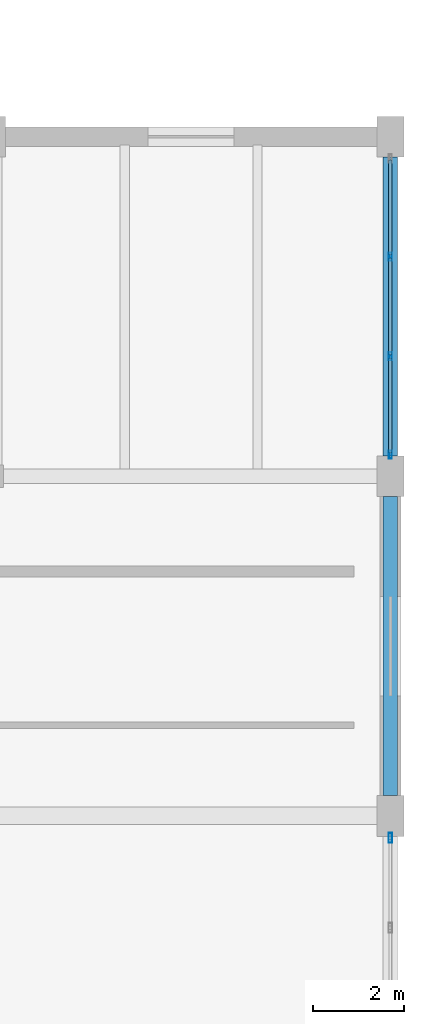
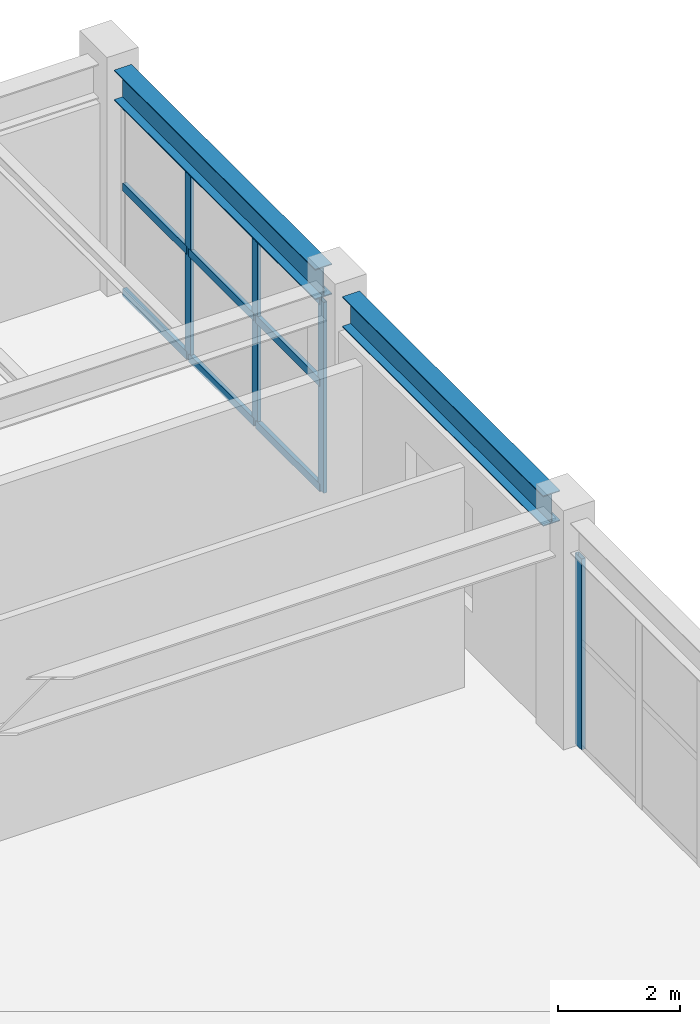
# One storey, part 31 of 62: 13 members, 2 beams, 2 elements without a shape of their own.
"""IFC4 building model written with IfcOpenShell, lengths in metres."""

from ifc_helpers import new_model, si_unit, direction, frame, origin, origin_2d, place, context, subcontext, project, spatial, hollow_rectangle, i_section, extrude, material, layer, layer_set, material_profile, profile_set, type_object, element, aggregate, save


model = new_model("IFC4")

# Units and contexts
model_context = context("Model", 3, precision=1e-05, world=origin(), true_north=direction((0.0, 1.0)))
body_context = subcontext(model_context, "Body", "Model", "MODEL_VIEW")
ifc_project = project(units=[si_unit("LENGTHUNIT", "METRE"), si_unit("AREAUNIT", "SQUARE_METRE"), si_unit("VOLUMEUNIT", "CUBIC_METRE"), si_unit("PLANEANGLEUNIT", "RADIAN"), si_unit("MASSUNIT", "GRAM", prefix="KILO")], contexts=[model_context])

# Site, building, storey
site_placement = place(None, origin())
site = spatial("IfcSite", under=ifc_project, at=site_placement, CompositionType="ELEMENT")
building_placement = place(site_placement, origin())
building = spatial("IfcBuilding", under=site, at=building_placement, Name="Vaelkrest Opera House", CompositionType="ELEMENT")
storey_placement = place(building_placement, frame((0.0, 0.0, 19.800048828125)))
storey = spatial("IfcBuildingStorey", under=building, at=storey_placement, Name="L04", CompositionType="ELEMENT", Elevation=19.800048828125)

# Curtain wall, members
ifc_material_1 = material(Name="Dark bronze anodized aluminium", Category="aluminium")
ifc_layer_1 = layer(ifc_material_1, 0.219970703125)
ifc_layer_set_1 = layer_set([ifc_layer_1], Name="Dark bronze anodized aluminium")
curtain_wall_type_1 = type_object("IfcCurtainWallType", Name="CW05", PredefinedType="NOTDEFINED", material=ifc_layer_set_1)
curtain_wall_1_placement = place(storey_placement, origin())
curtain_wall_1 = element("IfcCurtainWall", 1, at=curtain_wall_1_placement, inside=storey, type_object=curtain_wall_type_1, Name="Curtain wall CW-L04-170", PredefinedType="NOTDEFINED")
ifc_material_profile_1 = material_profile(ifc_material_1, hollow_rectangle(XDim=0.06494140625, YDim=0.179931640625, WallThickness=0.00390625, at=origin_2d()), Name="CWM65X180")
ifc_profile_set_1 = profile_set([ifc_material_profile_1], Name="Dark bronze anodized aluminium")
member_type_1 = type_object("IfcMemberType", Name="CWM01", PredefinedType="MULLION", material=ifc_profile_set_1)
member_1_placement = place(storey_placement, frame((68.800048828125, 22.55078125, 0.0), z_axis=(0.0, 0.0, 1.0), x_axis=(1.0, 0.0, 0.0)))
member_1 = element("IfcMember", 2, at=member_1_placement, type_object=member_type_1, Name="CW05 mullion 2", PredefinedType="MULLION", context=body_context, shape_type="SweptSolid", body=[
    extrude(hollow_rectangle(XDim=0.06494140625, YDim=0.179931640625, WallThickness=0.00390625, at=origin_2d()), origin(), (0.0, 0.0, 1.0), 3.828857421875),
])
member_2_placement = place(storey_placement, frame((68.800048828125, 20.349365234375, 0.0), z_axis=(0.0, 0.0, 1.0), x_axis=(1.0, 0.0, 0.0)))
member_2 = element("IfcMember", 3, at=member_2_placement, type_object=member_type_1, Name="CW05 mullion 3", PredefinedType="MULLION", context=body_context, shape_type="SweptSolid", body=[
    extrude(hollow_rectangle(XDim=0.06494140625, YDim=0.179931640625, WallThickness=0.00390625, at=origin_2d()), origin(), (0.0, 0.0, 1.0), 3.828857421875),
])
member_3_placement = place(storey_placement, frame((68.800048828125, 18.180419921875, 0.0), z_axis=(0.0, 0.0, 1.0), x_axis=(1.0, 0.0, 0.0)))
member_3 = element("IfcMember", 4, at=member_3_placement, type_object=member_type_1, Name="CW05 mullion 4", PredefinedType="MULLION", context=body_context, shape_type="SweptSolid", body=[
    extrude(hollow_rectangle(XDim=0.06494140625, YDim=0.179931640625, WallThickness=0.00390625, at=origin_2d()), origin(), (0.0, 0.0, 1.0), 3.828857421875),
])

# Curtain wall, member
ifc_layer_2 = layer(ifc_material_1, 0.239990234375)
ifc_layer_set_2 = layer_set([ifc_layer_2], Name="Dark bronze anodized aluminium")
curtain_wall_type_2 = type_object("IfcCurtainWallType", Name="CW07", PredefinedType="NOTDEFINED", material=ifc_layer_set_2)
curtain_wall_2_placement = place(storey_placement, origin())
curtain_wall_2 = element("IfcCurtainWall", 5, at=curtain_wall_2_placement, inside=storey, type_object=curtain_wall_type_2, Name="Curtain wall CW-L04-171", PredefinedType="NOTDEFINED")
ifc_material_profile_2 = material_profile(ifc_material_1, hollow_rectangle(XDim=0.074951171875, YDim=0.219970703125, WallThickness=0.00439453125, at=origin_2d()), Name="CWM75X220")
ifc_profile_set_2 = profile_set([ifc_material_profile_2], Name="Dark bronze anodized aluminium")
member_type_2 = type_object("IfcMemberType", Name="CWM03", PredefinedType="MULLION", material=ifc_profile_set_2)
member_4_placement = place(storey_placement, frame((68.800048828125, 9.714599609375, 0.0), z_axis=(0.0, 0.0, 1.0), x_axis=(1.0, 0.0, 0.0)))
member_4 = element("IfcMember", 6, at=member_4_placement, type_object=member_type_2, Name="CW07 mullion 1", PredefinedType="MULLION", context=body_context, shape_type="SweptSolid", body=[
    extrude(hollow_rectangle(XDim=0.074951171875, YDim=0.219970703125, WallThickness=0.00439453125, at=origin_2d()), origin(), (0.0, 0.0, 1.0), 3.828857421875),
])
aggregate(curtain_wall_2, [member_4])

# Member
ifc_material_profile_3 = material_profile(ifc_material_1, hollow_rectangle(XDim=0.074951171875, YDim=0.159912109375, WallThickness=0.00439453125, at=origin_2d()), Name="CWT75X160")
ifc_profile_set_3 = profile_set([ifc_material_profile_3], Name="Dark bronze anodized aluminium")
member_type_3 = type_object("IfcMemberType", Name="CWT03", PredefinedType="USERDEFINED", material=ifc_profile_set_3)
member_5_placement = place(storey_placement, frame((68.800048828125, 24.68701171875, 0.037353515625), z_axis=(0.0, -1.0, 0.0), x_axis=(1.0, 0.0, 0.0)))
member_5 = element("IfcMember", 7, at=member_5_placement, type_object=member_type_3, Name="CW05 transom 1.1", ObjectType="TRANSOM", PredefinedType="USERDEFINED", context=body_context, shape_type="SweptSolid", body=[
    extrude(hollow_rectangle(XDim=0.074951171875, YDim=0.159912109375, WallThickness=0.00439453125, at=origin_2d()), origin(), (0.0, 0.0, 1.0), 2.103759765625),
])

member_6_placement = place(storey_placement, frame((68.800048828125, 24.68701171875, 2.14990234375), z_axis=(0.0, -1.0, 0.0), x_axis=(1.0, 0.0, 0.0)))
member_6 = element("IfcMember", 8, at=member_6_placement, type_object=member_type_3, Name="CW05 transom 1.2", ObjectType="TRANSOM", PredefinedType="USERDEFINED", context=body_context, shape_type="SweptSolid", body=[
    extrude(hollow_rectangle(XDim=0.074951171875, YDim=0.159912109375, WallThickness=0.00439453125, at=origin_2d()), origin(), (0.0, 0.0, 1.0), 2.103759765625),
])

member_7_placement = place(storey_placement, frame((68.800048828125, 24.68701171875, 3.79150390625), z_axis=(0.0, -1.0, 0.0), x_axis=(1.0, 0.0, 0.0)))
member_7 = element("IfcMember", 9, at=member_7_placement, type_object=member_type_3, Name="CW05 transom 1.3", ObjectType="TRANSOM", PredefinedType="USERDEFINED", context=body_context, shape_type="SweptSolid", body=[
    extrude(hollow_rectangle(XDim=0.074951171875, YDim=0.159912109375, WallThickness=0.00439453125, at=origin_2d()), origin(), (0.0, 0.0, 1.0), 2.103759765625),
])

member_8_placement = place(storey_placement, frame((68.800048828125, 22.51806640625, 0.037353515625), z_axis=(0.0, -1.0, 0.0), x_axis=(1.0, 0.0, 0.0)))
member_8 = element("IfcMember", 10, at=member_8_placement, type_object=member_type_3, Name="CW05 transom 2.1", ObjectType="TRANSOM", PredefinedType="USERDEFINED", context=body_context, shape_type="SweptSolid", body=[
    extrude(hollow_rectangle(XDim=0.074951171875, YDim=0.159912109375, WallThickness=0.00439453125, at=origin_2d()), origin(), (0.0, 0.0, 1.0), 2.13623046875),
])

member_9_placement = place(storey_placement, frame((68.800048828125, 22.51806640625, 2.14990234375), z_axis=(0.0, -1.0, 0.0), x_axis=(1.0, 0.0, 0.0)))
member_9 = element("IfcMember", 11, at=member_9_placement, type_object=member_type_3, Name="CW05 transom 2.2", ObjectType="TRANSOM", PredefinedType="USERDEFINED", context=body_context, shape_type="SweptSolid", body=[
    extrude(hollow_rectangle(XDim=0.074951171875, YDim=0.159912109375, WallThickness=0.00439453125, at=origin_2d()), origin(), (0.0, 0.0, 1.0), 2.13623046875),
])

member_10_placement = place(storey_placement, frame((68.800048828125, 22.51806640625, 3.79150390625), z_axis=(0.0, -1.0, 0.0), x_axis=(1.0, 0.0, 0.0)))
member_10 = element("IfcMember", 12, at=member_10_placement, type_object=member_type_3, Name="CW05 transom 2.3", ObjectType="TRANSOM", PredefinedType="USERDEFINED", context=body_context, shape_type="SweptSolid", body=[
    extrude(hollow_rectangle(XDim=0.074951171875, YDim=0.159912109375, WallThickness=0.00439453125, at=origin_2d()), origin(), (0.0, 0.0, 1.0), 2.13623046875),
])

member_11_placement = place(storey_placement, frame((68.800048828125, 20.31689453125, 0.037353515625), z_axis=(0.0, -1.0, 0.0), x_axis=(1.0, 0.0, 0.0)))
member_11 = element("IfcMember", 13, at=member_11_placement, type_object=member_type_3, Name="CW05 transom 3.1", ObjectType="TRANSOM", PredefinedType="USERDEFINED", context=body_context, shape_type="SweptSolid", body=[
    extrude(hollow_rectangle(XDim=0.074951171875, YDim=0.159912109375, WallThickness=0.00439453125, at=origin_2d()), origin(), (0.0, 0.0, 1.0), 2.10400390625),
])

member_12_placement = place(storey_placement, frame((68.800048828125, 20.31689453125, 2.14990234375), z_axis=(0.0, -1.0, 0.0), x_axis=(1.0, 0.0, 0.0)))
member_12 = element("IfcMember", 14, at=member_12_placement, type_object=member_type_3, Name="CW05 transom 3.2", ObjectType="TRANSOM", PredefinedType="USERDEFINED", context=body_context, shape_type="SweptSolid", body=[
    extrude(hollow_rectangle(XDim=0.074951171875, YDim=0.159912109375, WallThickness=0.00439453125, at=origin_2d()), origin(), (0.0, 0.0, 1.0), 2.10400390625),
])

member_13_placement = place(storey_placement, frame((68.800048828125, 20.31689453125, 3.79150390625), z_axis=(0.0, -1.0, 0.0), x_axis=(1.0, 0.0, 0.0)))
member_13 = element("IfcMember", 15, at=member_13_placement, type_object=member_type_3, Name="CW05 transom 3.3", ObjectType="TRANSOM", PredefinedType="USERDEFINED", context=body_context, shape_type="SweptSolid", body=[
    extrude(hollow_rectangle(XDim=0.074951171875, YDim=0.159912109375, WallThickness=0.00439453125, at=origin_2d()), origin(), (0.0, 0.0, 1.0), 2.10400390625),
])

aggregate(curtain_wall_1, [member_1, member_2, member_3, member_5, member_6, member_7, member_8, member_9, member_10, member_11, member_12, member_13])

# Beams
ifc_material_2 = material(Name="Steel A992 Gr50", Category="steel")
ifc_material_profile_4 = material_profile(ifc_material_2, i_section(OverallWidth=0.323974609375, OverallDepth=0.611083984375, WebThickness=0.0126953125, FlangeThickness=0.01904296875, at=origin_2d()), Name="W24X104")
ifc_profile_set_4 = profile_set([ifc_material_profile_4], Name="Steel A992 Gr50")
beam_type = type_object("IfcBeamType", Name="SP01", PredefinedType="SPANDREL", material=ifc_profile_set_4)
for number, where, z_axis, x_axis, name in (
    (16, (68.800048828125, 10.64990234375, 4.199462890625), (0.0, 1.0, 0.0), (-1.0, 0.0, 0.0), "Beam BM-V4-L04-2425"),
    (17, (68.800048828125, 18.14990234375, 4.199462890625), (0.0, 1.0, 0.0), (-1.0, 0.0, 0.0), "Beam BM-V4-L04-2426"),
):
    element("IfcBeam", number, at=place(storey_placement, frame(where, z_axis=z_axis, x_axis=x_axis)), inside=storey, type_object=beam_type, Name=name, PredefinedType="SPANDREL", context=body_context, shape_type="SweptSolid", body=[
        extrude(i_section(OverallWidth=0.323974609375, OverallDepth=0.611083984375, WebThickness=0.0126953125, FlangeThickness=0.01904296875, at=origin_2d()), origin(), (0.0, 0.0, 1.0), 6.60009765625),
    ])

save(model, "model.ifc")
